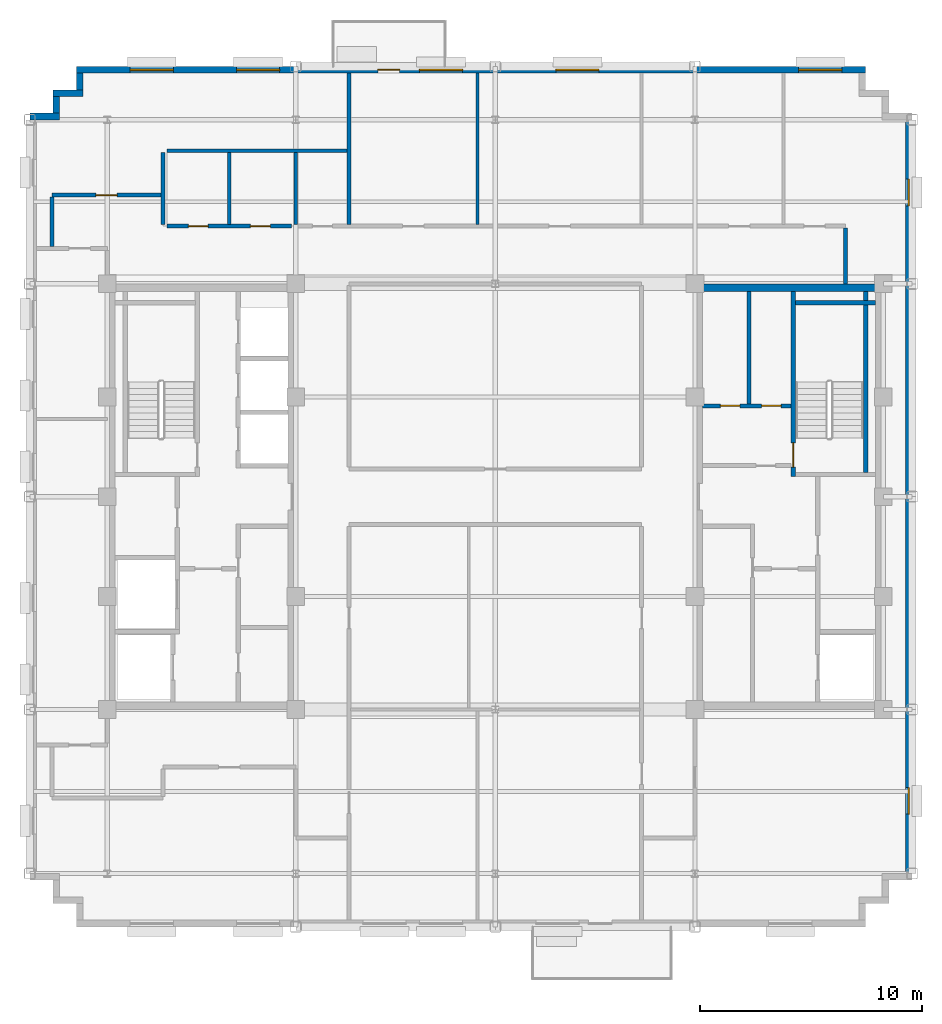
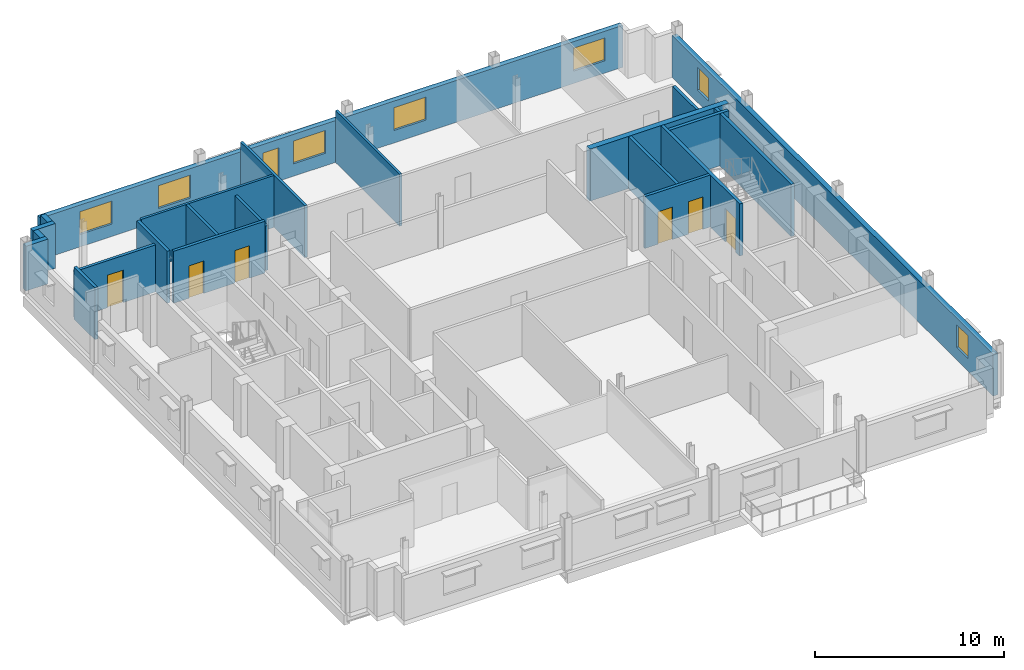
# One storey, part 8 of 13: 22 walls, 7 doors, 7 windows, 14 openings.
"""IFC4 building model written with IfcOpenShell, lengths in metres."""

from ifc_helpers import new_model, si_unit, direction, frame, frame_2d, origin, place, context, subcontext, project, spatial, rectangle, extrude, source, transform, mapped, material, layer, layer_set, type_object, type_shapes, element, fill, save


model = new_model("IFC4")

# Units and contexts
model_context = context("Model", 3, precision=1e-05, world=origin(), true_north=direction((0.0, 1.0)))
body_context = subcontext(model_context, "Body", "Model", "MODEL_VIEW")
ifc_project = project(units=[si_unit("LENGTHUNIT", "METRE"), si_unit("AREAUNIT", "SQUARE_METRE"), si_unit("VOLUMEUNIT", "CUBIC_METRE"), si_unit("PLANEANGLEUNIT", "RADIAN"), si_unit("MASSUNIT", "GRAM", prefix="KILO")], contexts=[model_context])

# Site, building, storey
site_placement = place(None, origin())
site = spatial("IfcSite", under=ifc_project, at=site_placement, CompositionType="ELEMENT")
building_placement = place(site_placement, origin())
building = spatial("IfcBuilding", under=site, at=building_placement, Name="Nuvemarco Arch Tower", CompositionType="ELEMENT")
storey_placement = place(building_placement, frame((0.0, 0.0, 257.949951171875)))
storey = spatial("IfcBuildingStorey", under=building, at=storey_placement, Name="L68", CompositionType="ELEMENT", Elevation=257.949951171875)

# Wall, openings, windows
ifc_material_1 = material(Name="Precast concrete C45/55", Category="concrete")
ifc_layer_1 = layer(ifc_material_1, 0.300048828125, Name="EW-HIGH-300")
ifc_layer_set_1 = layer_set([ifc_layer_1], Name="Precast concrete C45/55")
wall_type_1 = type_object("IfcWallType", Name="EW-HIGH-300", PredefinedType="STANDARD", material=ifc_layer_set_1)
wall_1_placement = place(storey_placement, frame((18.64990234375, -17.00390625, 0.0), z_axis=(0.0, 0.0, 1.0), x_axis=(0.0, 1.0, 0.0)))
wall_1 = element("IfcWall", 1, at=wall_1_placement, inside=storey, type_object=wall_type_1, Name="L68 exterior precast facade wall 6", PredefinedType="STANDARD", context=body_context, shape_type="SweptSolid", body=[
    extrude(rectangle(XDim=34.0078125, YDim=0.300048828125, at=frame_2d((17.00390625, 0.0))), origin(), (0.0, 0.0, 1.0), 2.705078125),
])
opening_1_placement = place(wall_1_placement, frame((2.686279296875, 0.0, 0.800048828125)))
opening_1 = element("IfcOpeningElement", 2, at=opening_1_placement, cuts=wall_1, Name="Opening WN-8", PredefinedType="OPENING", context=body_context, shape_type="SweptSolid", body=[
    extrude(rectangle(XDim=1.199951171875, YDim=1.47998046875, at=frame_2d((0.60009765625, 0.739990234375))), frame((0.0, 0.159912109375, 0.0), z_axis=(0.0, -1.0, 0.0), x_axis=(1.0, 0.0, 0.0)), (0.0, 0.0, 1.0), 0.320068359375),
])
opening_2_placement = place(wall_1_placement, frame((30.12158203125, 0.0, 0.800048828125)))
opening_2 = element("IfcOpeningElement", 3, at=opening_2_placement, cuts=wall_1, Name="Opening WN-8", PredefinedType="OPENING", context=body_context, shape_type="SweptSolid", body=[
    extrude(rectangle(XDim=1.199951171875, YDim=1.47998046875, at=frame_2d((0.60009765625, 0.739990234375))), frame((0.0, 0.159912109375, 0.0), z_axis=(0.0, -1.0, 0.0), x_axis=(1.0, 0.0, 0.0)), (0.0, 0.0, 1.0), 0.320068359375),
])
ifc_material_2 = material(Name="Insulated solar-control glass", Category="glass")
window_type_1 = type_object("IfcWindowType", Name="WN-HIGH-1200x1480", PartitioningType="SINGLE_PANEL", PredefinedType="WINDOW", material=ifc_material_2)
shared_shape_1 = source(origin(), body_context, "Body", "SweptSolid", [
    extrude(rectangle(XDim=1.199951171875, YDim=1.47998046875, at=frame_2d((0.60009765625, 0.739990234375))), frame((0.0, 0.030029296875, 0.0), z_axis=(0.0, -1.0, 0.0), x_axis=(1.0, 0.0, 0.0)), (0.0, 0.0, 1.0), 0.06005859375),
])
type_shapes(window_type_1, [shared_shape_1])
window_1_placement = place(opening_1_placement, origin())
window_1 = element("IfcWindow", 4, at=window_1_placement, inside=storey, type_object=window_type_1, Name="L68 punched facade window 1", OverallHeight=1.47998046875, OverallWidth=1.199951171875, PartitioningType="SINGLE_PANEL", PredefinedType="WINDOW", context=body_context, shape_type="MappedRepresentation", body=[
    mapped(shared_shape_1, transform((0.0, 0.0, 0.0), scale=1.0)),
])
fill(opening_1, window_1)
window_2_placement = place(opening_2_placement, origin())
window_2 = element("IfcWindow", 5, at=window_2_placement, inside=storey, type_object=window_type_1, Name="L68 punched facade window 7", OverallHeight=1.47998046875, OverallWidth=1.199951171875, PartitioningType="SINGLE_PANEL", PredefinedType="WINDOW", context=body_context, shape_type="MappedRepresentation", body=[
    mapped(shared_shape_1, transform((0.0, 0.0, 0.0), scale=1.0)),
])
fill(opening_2, window_2)

# Wall, openings, door, windows
wall_2_placement = place(storey_placement, frame((-18.89990234375, 19.25, 0.0), z_axis=(0.0, 0.0, 1.0), x_axis=(1.0, 0.0, 0.0)))
wall_2 = element("IfcWall", 6, at=wall_2_placement, inside=storey, type_object=wall_type_1, Name="L68 exterior precast facade wall 11", PredefinedType="STANDARD", context=body_context, shape_type="SweptSolid", body=[
    extrude(rectangle(XDim=35.599853515625, YDim=0.300048828125, at=frame_2d((17.7998046875, 0.0))), origin(), (0.0, 0.0, 1.0), 2.705078125),
])
opening_3_placement = place(wall_2_placement, frame((13.60009765625, 0.0, 0.0)))
opening_3 = element("IfcOpeningElement", 7, at=opening_3_placement, cuts=wall_2, Name="Opening ED-6", PredefinedType="OPENING", context=body_context, shape_type="SweptSolid", body=[
    extrude(rectangle(XDim=0.97998046875, YDim=2.14990234375, at=frame_2d((0.489990234375, 1.074951171875))), frame((0.0, 0.159912109375, 0.0), z_axis=(0.0, -1.0, 0.0), x_axis=(1.0, 0.0, 0.0)), (0.0, 0.0, 1.0), 0.320068359375),
])
opening_4_placement = place(wall_2_placement, frame((2.425048828125, 0.0, 0.800048828125)))
opening_4 = element("IfcOpeningElement", 8, at=opening_4_placement, cuts=wall_2, Name="Opening WN-7", PredefinedType="OPENING", context=body_context, shape_type="SweptSolid", body=[
    extrude(rectangle(XDim=1.949951171875, YDim=1.47998046875, at=frame_2d((0.97509765625, 0.739990234375))), frame((0.0, 0.159912109375, 0.0), z_axis=(0.0, -1.0, 0.0), x_axis=(1.0, 0.0, 0.0)), (0.0, 0.0, 1.0), 0.320068359375),
])
opening_5_placement = place(wall_2_placement, frame((7.22509765625, 0.0, 0.800048828125)))
opening_5 = element("IfcOpeningElement", 9, at=opening_5_placement, cuts=wall_2, Name="Opening WN-7", PredefinedType="OPENING", context=body_context, shape_type="SweptSolid", body=[
    extrude(rectangle(XDim=1.949951171875, YDim=1.47998046875, at=frame_2d((0.97509765625, 0.739990234375))), frame((0.0, 0.159912109375, 0.0), z_axis=(0.0, -1.0, 0.0), x_axis=(1.0, 0.0, 0.0)), (0.0, 0.0, 1.0), 0.320068359375),
])
opening_6_placement = place(wall_2_placement, frame((15.47509765625, 0.0, 0.800048828125)))
opening_6 = element("IfcOpeningElement", 10, at=opening_6_placement, cuts=wall_2, Name="Opening WN-7", PredefinedType="OPENING", context=body_context, shape_type="SweptSolid", body=[
    extrude(rectangle(XDim=1.949951171875, YDim=1.47998046875, at=frame_2d((0.97509765625, 0.739990234375))), frame((0.0, 0.159912109375, 0.0), z_axis=(0.0, -1.0, 0.0), x_axis=(1.0, 0.0, 0.0)), (0.0, 0.0, 1.0), 0.320068359375),
])
opening_7_placement = place(wall_2_placement, frame((21.625, 0.0, 0.800048828125)))
opening_7 = element("IfcOpeningElement", 11, at=opening_7_placement, cuts=wall_2, Name="Opening WN-7", PredefinedType="OPENING", context=body_context, shape_type="SweptSolid", body=[
    extrude(rectangle(XDim=1.949951171875, YDim=1.47998046875, at=frame_2d((0.97509765625, 0.739990234375))), frame((0.0, 0.159912109375, 0.0), z_axis=(0.0, -1.0, 0.0), x_axis=(1.0, 0.0, 0.0)), (0.0, 0.0, 1.0), 0.320068359375),
])
opening_8_placement = place(wall_2_placement, frame((32.574951171875, 0.0, 0.800048828125)))
opening_8 = element("IfcOpeningElement", 12, at=opening_8_placement, cuts=wall_2, Name="Opening WN-7", PredefinedType="OPENING", context=body_context, shape_type="SweptSolid", body=[
    extrude(rectangle(XDim=1.949951171875, YDim=1.47998046875, at=frame_2d((0.97509765625, 0.739990234375))), frame((0.0, 0.159912109375, 0.0), z_axis=(0.0, -1.0, 0.0), x_axis=(1.0, 0.0, 0.0)), (0.0, 0.0, 1.0), 0.320068359375),
])
ifc_material_3 = material(Name="Anodised bronze and laminated glass", Category="glass")
door_type_1 = type_object("IfcDoorType", Name="DR-EXT-BALC", OperationType="NOTDEFINED", PredefinedType="DOOR", material=ifc_material_3)
shared_shape_2 = source(origin(), body_context, "Body", "SweptSolid", [
    extrude(rectangle(XDim=0.97998046875, YDim=2.14990234375, at=frame_2d((0.489990234375, 1.074951171875))), frame((0.0, 0.02490234375, 0.0), z_axis=(0.0, -1.0, 0.0), x_axis=(1.0, 0.0, 0.0)), (0.0, 0.0, 1.0), 0.050048828125),
])
type_shapes(door_type_1, [shared_shape_2])
door_1_placement = place(opening_3_placement, origin())
door_1 = element("IfcDoor", 13, at=door_1_placement, inside=storey, type_object=door_type_1, Name="L68 tree balcony access door", OperationType="SINGLE_SWING_LEFT", OverallHeight=2.14990234375, OverallWidth=0.97998046875, PredefinedType="DOOR", context=body_context, shape_type="MappedRepresentation", body=[
    mapped(shared_shape_2, transform((0.0, 0.0, 0.0), scale=1.0)),
])
fill(opening_3, door_1)
window_type_2 = type_object("IfcWindowType", Name="WN-HIGH-1950x1480", PartitioningType="DOUBLE_PANEL_VERTICAL", PredefinedType="WINDOW", material=ifc_material_2)
shared_shape_3 = source(origin(), body_context, "Body", "SweptSolid", [
    extrude(rectangle(XDim=1.949951171875, YDim=1.47998046875, at=frame_2d((0.97509765625, 0.739990234375))), frame((0.0, 0.030029296875, 0.0), z_axis=(0.0, -1.0, 0.0), x_axis=(1.0, 0.0, 0.0)), (0.0, 0.0, 1.0), 0.06005859375),
])
type_shapes(window_type_2, [shared_shape_3])
window_3_placement = place(opening_4_placement, origin())
window_3 = element("IfcWindow", 14, at=window_3_placement, inside=storey, type_object=window_type_2, Name="L68 punched facade window 1", OverallHeight=1.47998046875, OverallWidth=1.949951171875, PartitioningType="SINGLE_PANEL", PredefinedType="WINDOW", context=body_context, shape_type="MappedRepresentation", body=[
    mapped(shared_shape_3, transform((0.0, 0.0, 0.0), scale=1.0)),
])
fill(opening_4, window_3)
window_4_placement = place(opening_5_placement, origin())
window_4 = element("IfcWindow", 15, at=window_4_placement, inside=storey, type_object=window_type_2, Name="L68 punched facade window 2", OverallHeight=1.47998046875, OverallWidth=1.949951171875, PartitioningType="SINGLE_PANEL", PredefinedType="WINDOW", context=body_context, shape_type="MappedRepresentation", body=[
    mapped(shared_shape_3, transform((0.0, 0.0, 0.0), scale=1.0)),
])
fill(opening_5, window_4)
window_5_placement = place(opening_6_placement, origin())
window_5 = element("IfcWindow", 16, at=window_5_placement, inside=storey, type_object=window_type_2, Name="L68 punched facade window 4", OverallHeight=1.47998046875, OverallWidth=1.949951171875, PartitioningType="SINGLE_PANEL", PredefinedType="WINDOW", context=body_context, shape_type="MappedRepresentation", body=[
    mapped(shared_shape_3, transform((0.0, 0.0, 0.0), scale=1.0)),
])
fill(opening_6, window_5)
window_6_placement = place(opening_7_placement, origin())
window_6 = element("IfcWindow", 17, at=window_6_placement, inside=storey, type_object=window_type_2, Name="L68 punched facade window 5", OverallHeight=1.47998046875, OverallWidth=1.949951171875, PartitioningType="SINGLE_PANEL", PredefinedType="WINDOW", context=body_context, shape_type="MappedRepresentation", body=[
    mapped(shared_shape_3, transform((0.0, 0.0, 0.0), scale=1.0)),
])
fill(opening_7, window_6)
window_7_placement = place(opening_8_placement, origin())
window_7 = element("IfcWindow", 18, at=window_7_placement, inside=storey, type_object=window_type_2, Name="L68 punched facade window 7", OverallHeight=1.47998046875, OverallWidth=1.949951171875, PartitioningType="SINGLE_PANEL", PredefinedType="WINDOW", context=body_context, shape_type="MappedRepresentation", body=[
    mapped(shared_shape_3, transform((0.0, 0.0, 0.0), scale=1.0)),
])
fill(opening_8, window_7)

# Walls
wall_3_placement = place(storey_placement, frame((-18.75, 18.345947265625, 0.0), z_axis=(0.0, 0.0, 1.0), x_axis=(0.0, 1.0, 0.0)))
element("IfcWall", 19, at=wall_3_placement, inside=storey, type_object=wall_type_1, Name="L68 exterior precast facade wall 12", PredefinedType="STANDARD", context=body_context, shape_type="SweptSolid", body=[
    extrude(rectangle(XDim=0.758056640625, YDim=0.300048828125, at=frame_2d((0.37890625, 0.0))), origin(), (0.0, 0.0, 1.0), 2.89208984375),
])
wall_4_placement = place(storey_placement, frame((-19.949951171875, 18.199951171875, 0.0), z_axis=(0.0, 0.0, 1.0), x_axis=(1.0, 0.0, 0.0)))
element("IfcWall", 20, at=wall_4_placement, inside=storey, type_object=wall_type_1, Name="L68 exterior precast facade wall 13", PredefinedType="STANDARD", context=body_context, shape_type="SweptSolid", body=[
    extrude(rectangle(XDim=1.349853515625, YDim=0.300048828125, at=frame_2d((0.6748046875, 0.0))), origin(), (0.0, 0.0, 1.0), 2.89208984375),
])
wall_5_placement = place(storey_placement, frame((-19.800048828125, 17.2958984375, 0.0), z_axis=(0.0, 0.0, 1.0), x_axis=(0.0, 1.0, 0.0)))
element("IfcWall", 21, at=wall_5_placement, inside=storey, type_object=wall_type_1, Name="L68 exterior precast facade wall 14", PredefinedType="STANDARD", context=body_context, shape_type="SweptSolid", body=[
    extrude(rectangle(XDim=0.758056640625, YDim=0.300048828125, at=frame_2d((0.37890625, 0.0))), origin(), (0.0, 0.0, 1.0), 2.89208984375),
])
wall_6_placement = place(storey_placement, frame((-21.0, 17.14990234375, 0.0), z_axis=(0.0, 0.0, 1.0), x_axis=(1.0, 0.0, 0.0)))
element("IfcWall", 22, at=wall_6_placement, inside=storey, type_object=wall_type_1, Name="L68 exterior precast facade wall 15", PredefinedType="STANDARD", context=body_context, shape_type="SweptSolid", body=[
    extrude(rectangle(XDim=1.35009765625, YDim=0.300048828125, at=frame_2d((0.675048828125, 0.0))), origin(), (0.0, 0.0, 1.0), 2.89208984375),
])
ifc_material_4 = material(Name="Concrete C50/60", Category="concrete")
ifc_layer_2 = layer(ifc_material_4, 0.35009765625, Name="WL-CORE-350")
ifc_layer_set_2 = layer_set([ifc_layer_2], Name="Concrete C50/60")
wall_type_2 = type_object("IfcWallType", Name="WL-CORE-350", PredefinedType="SHEAR", material=ifc_layer_set_2)
wall_7_placement = place(storey_placement, frame((9.0, 9.425048828125, 0.0), z_axis=(0.0, 0.0, 1.0), x_axis=(1.0, 0.0, 0.0)))
element("IfcWall", 23, at=wall_7_placement, inside=storey, type_object=wall_type_2, Name="L68 E-core shear wall N", PredefinedType="SHEAR", context=body_context, shape_type="SweptSolid", body=[
    extrude(rectangle(XDim=8.5, YDim=0.35009765625, at=frame_2d((4.25, 0.0))), origin(), (0.0, 0.0, 1.0), 3.3701171875),
])

# Wall, openings, doors
ifc_material_5 = material(Name="Fire-rated gypsum drywall partition")
ifc_layer_3 = layer(ifc_material_5, 0.179931640625, Name="WL-CORR-180")
ifc_layer_set_3 = layer_set([ifc_layer_3], Name="Fire-rated gypsum drywall partition")
wall_type_3 = type_object("IfcWallType", Name="WL-CORR-180", PredefinedType="PARTITIONING", material=ifc_layer_set_3)
wall_8_placement = place(storey_placement, frame((9.344970703125, 4.10009765625, 0.0), z_axis=(0.0, 0.0, 1.0), x_axis=(1.0, 0.0, 0.0)))
wall_8 = element("IfcWall", 24, at=wall_8_placement, inside=storey, type_object=wall_type_3, Name="L68 interior wall IW-L68-EK3H", PredefinedType="PARTITIONING", context=body_context, shape_type="SweptSolid", body=[
    extrude(rectangle(XDim=4.0, YDim=0.179931640625, at=frame_2d((2.0, 0.0))), origin(), (0.0, 0.0, 1.0), 3.360107421875),
])
opening_9_placement = place(wall_8_placement, frame((0.800048828125, 0.0, 0.0)))
opening_9 = element("IfcOpeningElement", 25, at=opening_9_placement, cuts=wall_8, Name="Opening FD-4", PredefinedType="OPENING", context=body_context, shape_type="SweptSolid", body=[
    extrude(rectangle(XDim=0.8798828125, YDim=2.10009765625, at=frame_2d((0.43994140625, 1.050048828125))), frame((0.0, 0.099853515625, 0.0), z_axis=(0.0, -1.0, 0.0), x_axis=(1.0, 0.0, 0.0)), (0.0, 0.0, 1.0), 0.199951171875),
])
opening_10_placement = place(wall_8_placement, frame((2.6650390625, 0.0, 0.0)))
opening_10 = element("IfcOpeningElement", 26, at=opening_10_placement, cuts=wall_8, Name="Opening FD-4", PredefinedType="OPENING", context=body_context, shape_type="SweptSolid", body=[
    extrude(rectangle(XDim=0.8798828125, YDim=2.10009765625, at=frame_2d((0.43994140625, 1.050048828125))), frame((0.0, 0.099853515625, 0.0), z_axis=(0.0, -1.0, 0.0), x_axis=(1.0, 0.0, 0.0)), (0.0, 0.0, 1.0), 0.199951171875),
])
ifc_material_6 = material(Name="Anodised steel fire door", Category="steel")
door_type_2 = type_object("IfcDoorType", Name="DR-RISER-FD", OperationType="NOTDEFINED", PredefinedType="DOOR", material=ifc_material_6)
shared_shape_4 = source(origin(), body_context, "Body", "SweptSolid", [
    extrude(rectangle(XDim=0.8798828125, YDim=2.10009765625, at=frame_2d((0.43994140625, 1.050048828125))), frame((0.0, 0.02490234375, 0.0), z_axis=(0.0, -1.0, 0.0), x_axis=(1.0, 0.0, 0.0)), (0.0, 0.0, 1.0), 0.050048828125),
])
type_shapes(door_type_2, [shared_shape_4])
door_2_placement = place(opening_9_placement, origin())
door_2 = element("IfcDoor", 27, at=door_2_placement, inside=storey, type_object=door_type_2, Name="L68 door FD-L68-EK3B", OperationType="SINGLE_SWING_RIGHT", OverallHeight=2.10009765625, OverallWidth=0.8798828125, PredefinedType="DOOR", context=body_context, shape_type="MappedRepresentation", body=[
    mapped(shared_shape_4, transform((0.0, 0.0, 0.0), scale=1.0)),
])
fill(opening_9, door_2)
door_3_placement = place(opening_10_placement, origin())
door_3 = element("IfcDoor", 28, at=door_3_placement, inside=storey, type_object=door_type_2, Name="L68 door FD-L68-EK3C", OperationType="SINGLE_SWING_LEFT", OverallHeight=2.10009765625, OverallWidth=0.8798828125, PredefinedType="DOOR", context=body_context, shape_type="MappedRepresentation", body=[
    mapped(shared_shape_4, transform((0.0, 0.0, 0.0), scale=1.0)),
])
fill(opening_10, door_3)

# Wall
wall_9_placement = place(storey_placement, frame((11.449951171875, 4.18994140625, 0.0), z_axis=(0.0, 0.0, 1.0), x_axis=(0.0, 1.0, 0.0)))
element("IfcWall", 29, at=wall_9_placement, inside=storey, type_object=wall_type_3, Name="L68 interior wall IW-L68-EK3V", PredefinedType="PARTITIONING", context=body_context, shape_type="SweptSolid", body=[
    extrude(rectangle(XDim=5.06494140625, YDim=0.179931640625, at=frame_2d((2.532470703125, 0.0))), origin(), (0.0, 0.0, 1.0), 3.360107421875),
])

# Wall, openings, doors
wall_10_placement = place(storey_placement, frame((-14.800048828125, 12.199951171875, 0.0), z_axis=(0.0, 0.0, 1.0), x_axis=(1.0, 0.0, 0.0)))
wall_10 = element("IfcWall", 30, at=wall_10_placement, inside=storey, type_object=wall_type_3, Name="L68 interior wall IW-L68-014", PredefinedType="PARTITIONING", context=body_context, shape_type="SweptSolid", body=[
    extrude(rectangle(XDim=5.60009765625, YDim=0.179931640625, at=frame_2d((2.800048828125, 0.0))), origin(), (0.0, 0.0, 1.0), 3.360107421875),
])
opening_11_placement = place(wall_10_placement, frame((0.949951171875, 0.0, 0.0)))
opening_11 = element("IfcOpeningElement", 31, at=opening_11_placement, cuts=wall_10, Name="Opening ID-3", PredefinedType="OPENING", context=body_context, shape_type="SweptSolid", body=[
    extrude(rectangle(XDim=0.89990234375, YDim=2.10009765625, at=frame_2d((0.449951171875, 1.050048828125))), frame((0.0, 0.099853515625, 0.0), z_axis=(0.0, -1.0, 0.0), x_axis=(1.0, 0.0, 0.0)), (0.0, 0.0, 1.0), 0.199951171875),
])
opening_12_placement = place(wall_10_placement, frame((3.75, 0.0, 0.0)))
opening_12 = element("IfcOpeningElement", 32, at=opening_12_placement, cuts=wall_10, Name="Opening ID-3", PredefinedType="OPENING", context=body_context, shape_type="SweptSolid", body=[
    extrude(rectangle(XDim=0.89990234375, YDim=2.10009765625, at=frame_2d((0.449951171875, 1.050048828125))), frame((0.0, 0.099853515625, 0.0), z_axis=(0.0, -1.0, 0.0), x_axis=(1.0, 0.0, 0.0)), (0.0, 0.0, 1.0), 0.199951171875),
])
ifc_material_7 = material(Name="Veneered oak timber fire door", Category="wood")
door_type_3 = type_object("IfcDoorType", Name="DR-WC-ACC", OperationType="NOTDEFINED", PredefinedType="DOOR", material=ifc_material_7)
shared_shape_5 = source(origin(), body_context, "Body", "SweptSolid", [
    extrude(rectangle(XDim=0.89990234375, YDim=2.10009765625, at=frame_2d((0.449951171875, 1.050048828125))), frame((0.0, 0.02490234375, 0.0), z_axis=(0.0, -1.0, 0.0), x_axis=(1.0, 0.0, 0.0)), (0.0, 0.0, 1.0), 0.050048828125),
])
type_shapes(door_type_3, [shared_shape_5])
door_4_placement = place(opening_11_placement, origin())
door_4 = element("IfcDoor", 33, at=door_4_placement, inside=storey, type_object=door_type_3, Name="L68 door DR-L68-WC_M", OperationType="SINGLE_SWING_LEFT", OverallHeight=2.10009765625, OverallWidth=0.89990234375, PredefinedType="DOOR", context=body_context, shape_type="MappedRepresentation", body=[
    mapped(shared_shape_5, transform((0.0, 0.0, 0.0), scale=1.0)),
])
fill(opening_11, door_4)
door_5_placement = place(opening_12_placement, origin())
door_5 = element("IfcDoor", 34, at=door_5_placement, inside=storey, type_object=door_type_3, Name="L68 door DR-L68-WC_F", OperationType="SINGLE_SWING_RIGHT", OverallHeight=2.10009765625, OverallWidth=0.89990234375, PredefinedType="DOOR", context=body_context, shape_type="MappedRepresentation", body=[
    mapped(shared_shape_5, transform((0.0, 0.0, 0.0), scale=1.0)),
])
fill(opening_12, door_5)

# Wall, opening, door
wall_11_placement = place(storey_placement, frame((-20.0, 13.60009765625, 0.0), z_axis=(0.0, 0.0, 1.0), x_axis=(1.0, 0.0, 0.0)))
wall_11 = element("IfcWall", 35, at=wall_11_placement, inside=storey, type_object=wall_type_3, Name="L68 interior wall IW-L68-016", PredefinedType="PARTITIONING", context=body_context, shape_type="SweptSolid", body=[
    extrude(rectangle(XDim=4.9140625, YDim=0.179931640625, at=frame_2d((2.45703125, 0.0))), origin(), (0.0, 0.0, 1.0), 3.0380859375),
])
opening_13_placement = place(wall_11_placement, frame((1.97705078125, 0.0, 0.0)))
opening_13 = element("IfcOpeningElement", 36, at=opening_13_placement, cuts=wall_11, Name="Opening FD-5", PredefinedType="OPENING", context=body_context, shape_type="SweptSolid", body=[
    extrude(rectangle(XDim=0.9599609375, YDim=2.10009765625, at=frame_2d((0.47998046875, 1.050048828125))), frame((0.0, 0.099853515625, 0.0), z_axis=(0.0, -1.0, 0.0), x_axis=(1.0, 0.0, 0.0)), (0.0, 0.0, 1.0), 0.199951171875),
])
ifc_material_8 = material(Name="Timber fire door", Category="wood")
door_type_4 = type_object("IfcDoorType", Name="DR-CORR-FD", OperationType="NOTDEFINED", PredefinedType="DOOR", material=ifc_material_8)
shared_shape_6 = source(origin(), body_context, "Body", "SweptSolid", [
    extrude(rectangle(XDim=0.9599609375, YDim=2.10009765625, at=frame_2d((0.47998046875, 1.050048828125))), frame((0.0, 0.02490234375, 0.0), z_axis=(0.0, -1.0, 0.0), x_axis=(1.0, 0.0, 0.0)), (0.0, 0.0, 1.0), 0.050048828125),
])
type_shapes(door_type_4, [shared_shape_6])
door_6_placement = place(opening_13_placement, origin())
door_6 = element("IfcDoor", 37, at=door_6_placement, inside=storey, type_object=door_type_4, Name="L68 door DR-L68-N_1", OperationType="SINGLE_SWING_RIGHT", OverallHeight=2.10009765625, OverallWidth=0.9599609375, PredefinedType="DOOR", context=body_context, shape_type="MappedRepresentation", body=[
    mapped(shared_shape_6, transform((0.0, 0.0, 0.0), scale=1.0)),
])
fill(opening_13, door_6)

# Walls
wall_12_placement = place(storey_placement, frame((-20.0, 11.285888671875, 0.0), z_axis=(0.0, 0.0, 1.0), x_axis=(0.0, 1.0, 0.0)))
element("IfcWall", 38, at=wall_12_placement, inside=storey, type_object=wall_type_3, Name="L68 interior wall IW-L68-019", PredefinedType="PARTITIONING", context=body_context, shape_type="SweptSolid", body=[
    extrude(rectangle(XDim=2.22802734375, YDim=0.179931640625, at=frame_2d((1.114013671875, 0.0))), origin(), (0.0, 0.0, 1.0), 3.360107421875),
])
wall_13_placement = place(storey_placement, frame((-15.0, 12.285888671875, 0.0), z_axis=(0.0, 0.0, 1.0), x_axis=(0.0, 1.0, 0.0)))
element("IfcWall", 39, at=wall_13_placement, inside=storey, type_object=wall_type_3, Name="L68 interior wall IW-L68-023", PredefinedType="PARTITIONING", context=body_context, shape_type="SweptSolid", body=[
    extrude(rectangle(XDim=3.2431640625, YDim=0.179931640625, at=frame_2d((1.62158203125, 0.0))), origin(), (0.0, 0.0, 1.0), 3.360107421875),
])
wall_14_placement = place(storey_placement, frame((15.800048828125, 9.60009765625, 0.0), z_axis=(0.0, 0.0, 1.0), x_axis=(0.0, 1.0, 0.0)))
element("IfcWall", 40, at=wall_14_placement, inside=storey, type_object=wall_type_3, Name="L68 interior wall IW-L68-038", PredefinedType="PARTITIONING", context=body_context, shape_type="SweptSolid", body=[
    extrude(rectangle(XDim=2.513916015625, YDim=0.179931640625, at=frame_2d((1.2568359375, 0.0))), origin(), (0.0, 0.0, 1.0), 3.360107421875),
])
ifc_material_9 = material(Name="Gypsum plasterboard partition")
ifc_layer_4 = layer(ifc_material_9, 0.139892578125, Name="WL-ROOM-140")
ifc_layer_set_4 = layer_set([ifc_layer_4], Name="Gypsum plasterboard partition")
wall_type_4 = type_object("IfcWallType", Name="WL-ROOM-140", PredefinedType="PARTITIONING", material=ifc_layer_set_4)
wall_15_placement = place(storey_placement, frame((-0.800048828125, 12.285888671875, 0.0), z_axis=(0.0, 0.0, 1.0), x_axis=(0.0, 1.0, 0.0)))
element("IfcWall", 41, at=wall_15_placement, inside=storey, type_object=wall_type_4, Name="L68 interior wall IW-L68-032", PredefinedType="PARTITIONING", context=body_context, shape_type="SweptSolid", body=[
    extrude(rectangle(XDim=6.814208984375, YDim=0.139892578125, at=frame_2d((3.4072265625, 0.0))), origin(), (0.0, 0.0, 1.0), 3.360107421875),
])

# Wall, opening, door
ifc_layer_5 = layer(ifc_material_4, 0.199951171875, Name="WL-SHAFT-220")
ifc_layer_set_5 = layer_set([ifc_layer_5], Name="Concrete C50/60")
wall_type_5 = type_object("IfcWallType", Name="WL-SHAFT-220", PredefinedType="SHEAR", material=ifc_layer_set_5)
wall_16_placement = place(storey_placement, frame((13.43994140625, 0.89990234375, 0.0), z_axis=(0.0, 0.0, 1.0), x_axis=(0.0, 1.0, 0.0)))
wall_16 = element("IfcWall", 42, at=wall_16_placement, inside=storey, type_object=wall_type_5, Name="L68 structural shaft wall SW-L68-E-ST2W", PredefinedType="SHEAR", context=body_context, shape_type="SweptSolid", body=[
    extrude(rectangle(XDim=8.35498046875, YDim=0.199951171875, at=frame_2d((4.177490234375, 0.0))), origin(), (0.0, 0.0, 1.0), 3.3701171875),
])
opening_14_placement = place(wall_16_placement, frame((0.429931640625, 0.0, 0.0)))
opening_14 = element("IfcOpeningElement", 43, at=opening_14_placement, cuts=wall_16, Name="Opening FD-1", PredefinedType="OPENING", context=body_context, shape_type="SweptSolid", body=[
    extrude(rectangle(XDim=1.10009765625, YDim=2.14990234375, at=frame_2d((0.550048828125, 1.074951171875))), frame((0.0, 0.10986328125, 0.0), z_axis=(0.0, -1.0, 0.0), x_axis=(1.0, 0.0, 0.0)), (0.0, 0.0, 1.0), 0.219970703125),
])
door_type_5 = type_object("IfcDoorType", Name="DR-STAIR-FD", OperationType="NOTDEFINED", PredefinedType="DOOR", material=ifc_material_6)
shared_shape_7 = source(origin(), body_context, "Body", "SweptSolid", [
    extrude(rectangle(XDim=1.10009765625, YDim=2.14990234375, at=frame_2d((0.550048828125, 1.074951171875))), frame((0.0, 0.02490234375, 0.0), z_axis=(0.0, -1.0, 0.0), x_axis=(1.0, 0.0, 0.0)), (0.0, 0.0, 1.0), 0.050048828125),
])
type_shapes(door_type_5, [shared_shape_7])
door_7_placement = place(opening_14_placement, origin())
door_7 = element("IfcDoor", 44, at=door_7_placement, inside=storey, type_object=door_type_5, Name="L68 door FD-L68-ST2", OperationType="SINGLE_SWING_LEFT", OverallHeight=2.14990234375, OverallWidth=1.10009765625, PredefinedType="DOOR", context=body_context, shape_type="MappedRepresentation", body=[
    mapped(shared_shape_7, transform((0.0, 0.0, 0.0), scale=1.0)),
])
fill(opening_14, door_7)

# Walls
wall_17_placement = place(storey_placement, frame((13.534912109375, 8.75, 0.0), z_axis=(0.0, 0.0, 1.0), x_axis=(1.0, 0.0, 0.0)))
element("IfcWall", 45, at=wall_17_placement, inside=storey, type_object=wall_type_5, Name="L68 structural shaft wall SW-L68-E-ST2N", PredefinedType="SHEAR", context=body_context, shape_type="SweptSolid", body=[
    extrude(rectangle(XDim=3.6201171875, YDim=0.199951171875, at=frame_2d((1.81005859375, 0.0))), origin(), (0.0, 0.0, 1.0), 3.3701171875),
])
wall_18_placement = place(storey_placement, frame((16.699951171875, 1.094970703125, 0.0), z_axis=(0.0, 0.0, 1.0), x_axis=(0.0, 1.0, 0.0)))
element("IfcWall", 46, at=wall_18_placement, inside=storey, type_object=wall_type_5, Name="L68 structural shaft wall SW-L68-E-ST2E", PredefinedType="SHEAR", context=body_context, shape_type="SweptSolid", body=[
    extrude(rectangle(XDim=8.159912109375, YDim=0.199951171875, at=frame_2d((4.080078125, 0.0))), origin(), (0.0, 0.0, 1.0), 3.3701171875),
])
ifc_material_10 = material(Name="Acoustic gypsum drywall partition")
ifc_layer_6 = layer(ifc_material_10, 0.159912109375, Name="WL-TENANT-160")
ifc_layer_set_6 = layer_set([ifc_layer_6], Name="Acoustic gypsum drywall partition")
wall_type_6 = type_object("IfcWallType", Name="WL-TENANT-160", PredefinedType="PARTITIONING", material=ifc_layer_set_6)
wall_19_placement = place(storey_placement, frame((-6.60009765625, 12.285888671875, 0.0), z_axis=(0.0, 0.0, 1.0), x_axis=(0.0, 1.0, 0.0)))
element("IfcWall", 47, at=wall_19_placement, inside=storey, type_object=wall_type_6, Name="L68 interior wall IW-L68-029", PredefinedType="PARTITIONING", context=body_context, shape_type="SweptSolid", body=[
    extrude(rectangle(XDim=6.814208984375, YDim=0.159912109375, at=frame_2d((3.4072265625, 0.0))), origin(), (0.0, 0.0, 1.0), 3.360107421875),
])
ifc_material_11 = material(Name="Moisture-resistant gypsum partition")
ifc_layer_7 = layer(ifc_material_11, 0.14990234375, Name="WL-WET-150")
ifc_layer_set_7 = layer_set([ifc_layer_7], Name="Moisture-resistant gypsum partition")
wall_type_7 = type_object("IfcWallType", Name="WL-WET-150", PredefinedType="PARTITIONING", material=ifc_layer_set_7)
wall_20_placement = place(storey_placement, frame((-14.800048828125, 15.60009765625, 0.0), z_axis=(0.0, 0.0, 1.0), x_axis=(1.0, 0.0, 0.0)))
element("IfcWall", 48, at=wall_20_placement, inside=storey, type_object=wall_type_7, Name="L68 interior wall IW-L68-017", PredefinedType="PARTITIONING", context=body_context, shape_type="SweptSolid", body=[
    extrude(rectangle(XDim=8.129150390625, YDim=0.14990234375, at=frame_2d((4.064453125, 0.0))), origin(), (0.0, 0.0, 1.0), 3.360107421875),
])
wall_21_placement = place(storey_placement, frame((-12.0, 12.285888671875, 0.0), z_axis=(0.0, 0.0, 1.0), x_axis=(0.0, 1.0, 0.0)))
element("IfcWall", 49, at=wall_21_placement, inside=storey, type_object=wall_type_7, Name="L68 interior wall IW-L68-024", PredefinedType="PARTITIONING", context=body_context, shape_type="SweptSolid", body=[
    extrude(rectangle(XDim=3.2431640625, YDim=0.14990234375, at=frame_2d((1.62158203125, 0.0))), origin(), (0.0, 0.0, 1.0), 3.360107421875),
])
wall_22_placement = place(storey_placement, frame((-9.0, 12.285888671875, 0.0), z_axis=(0.0, 0.0, 1.0), x_axis=(0.0, 1.0, 0.0)))
element("IfcWall", 50, at=wall_22_placement, inside=storey, type_object=wall_type_7, Name="L68 interior wall IW-L68-026", PredefinedType="PARTITIONING", context=body_context, shape_type="SweptSolid", body=[
    extrude(rectangle(XDim=3.2431640625, YDim=0.14990234375, at=frame_2d((1.62158203125, 0.0))), origin(), (0.0, 0.0, 1.0), 2.89208984375),
])

save(model, "model.ifc")
